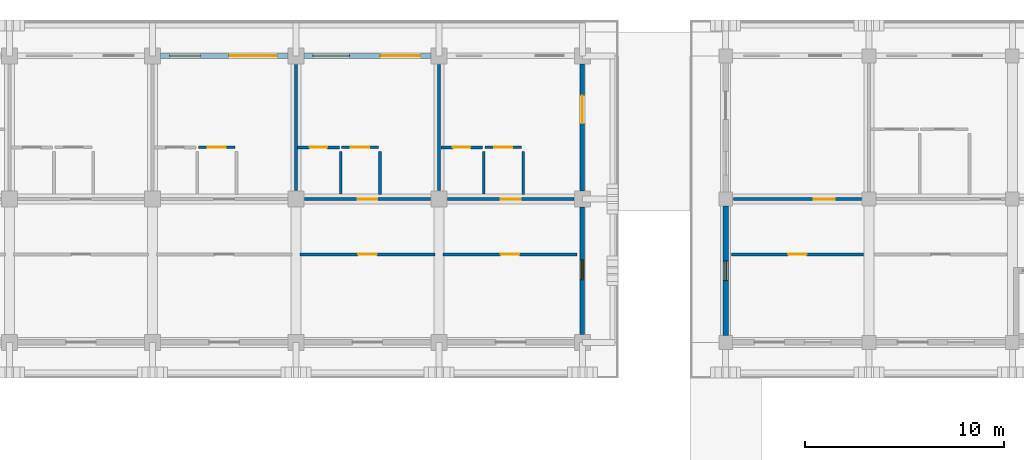
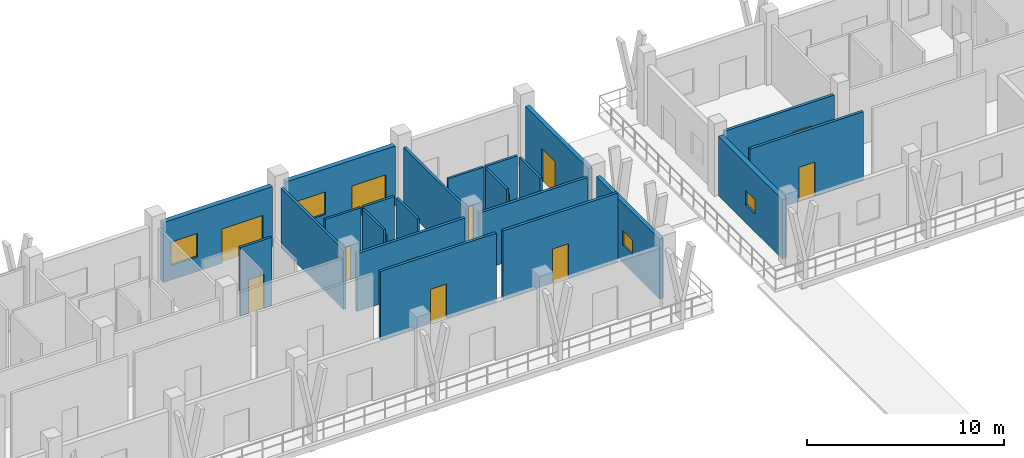
# One storey, part 79 of 110: 22 walls, 14 doors, 4 windows, 18 openings.
"""IFC4 building model written with IfcOpenShell, lengths in metres."""

from ifc_helpers import new_model, si_unit, direction, frame, frame_2d, origin, place, context, subcontext, project, spatial, rectangle, extrude, material, layer, layer_set, type_object, element, fill, save


model = new_model("IFC4")

# Units and contexts
model_context = context("Model", 3, precision=1e-05, world=origin(), true_north=direction((0.0, 1.0)))
body_context = subcontext(model_context, "Body", "Model", "MODEL_VIEW")
ifc_project = project(units=[si_unit("LENGTHUNIT", "METRE"), si_unit("AREAUNIT", "SQUARE_METRE"), si_unit("VOLUMEUNIT", "CUBIC_METRE"), si_unit("PLANEANGLEUNIT", "RADIAN"), si_unit("MASSUNIT", "GRAM", prefix="KILO")], contexts=[model_context])

# Site, building, storey
site_placement = place(None, origin())
site = spatial("IfcSite", under=ifc_project, at=site_placement, CompositionType="ELEMENT")
building_placement = place(site_placement, origin())
building = spatial("IfcBuilding", under=site, at=building_placement, Name="Suanplinth Sawtooth Commons", CompositionType="ELEMENT")
storey_placement = place(building_placement, frame((0.0, 0.0, 4.5)))
storey = spatial("IfcBuildingStorey", under=building, at=storey_placement, Name="L01", CompositionType="ELEMENT", Elevation=4.5)

# Wall, openings, door, window
ifc_material_1 = material(Name="Precast concrete C40/50", Category="concrete")
ifc_layer_1 = layer(ifc_material_1, 0.280029296875, Name="Insulated precast architectural facade wall 280mm")
ifc_layer_set_1 = layer_set([ifc_layer_1], Name="Precast concrete C40/50")
wall_type_1 = type_object("IfcWallType", Name="W-EX01", PredefinedType="ELEMENTEDWALL", material=ifc_layer_set_1)
wall_1_placement = place(storey_placement, frame((94.0, 122.39990234375, 0.0), z_axis=(0.0, 0.0, 1.0), x_axis=(1.0, 0.0, 0.0)))
wall_1 = element("IfcWall", 1, at=wall_1_placement, inside=storey, type_object=wall_type_1, Name="Facade Wall W-L01-A-N-13", PredefinedType="ELEMENTEDWALL", context=body_context, shape_type="SweptSolid", body=[
    extrude(rectangle(XDim=6.39990234375, YDim=0.280029296875, at=frame_2d((3.199951171875, 0.0))), origin(), (0.0, 0.0, 1.0), 3.715087890625),
])
opening_1_placement = place(wall_1_placement, frame((3.449951171875, 0.0, 0.0)))
opening_1 = element("IfcOpeningElement", 2, at=opening_1_placement, cuts=wall_1, Name="Opening ED0057", PredefinedType="OPENING", context=body_context, shape_type="SweptSolid", body=[
    extrude(rectangle(XDim=2.39990234375, YDim=2.1201171875, at=frame_2d((1.199951171875, 1.06005859375))), frame((0.0, 0.15478515625, 0.0), z_axis=(0.0, -1.0, 0.0), x_axis=(1.0, 0.0, 0.0)), (0.0, 0.0, 1.0), 0.309814453125),
])
opening_2_placement = place(wall_1_placement, frame((0.449951171875, 0.0, 0.89990234375)))
opening_2 = element("IfcOpeningElement", 3, at=opening_2_placement, cuts=wall_1, Name="Opening W0181", PredefinedType="OPENING", context=body_context, shape_type="SweptSolid", body=[
    extrude(rectangle(XDim=1.550048828125, YDim=1.449951171875, at=frame_2d((0.77490234375, 0.72509765625))), frame((0.0, 0.15478515625, 0.0), z_axis=(0.0, -1.0, 0.0), x_axis=(1.0, 0.0, 0.0)), (0.0, 0.0, 1.0), 0.309814453125),
])
ifc_material_2 = material(Name="Anodized aluminium and low-E glass", Category="aluminium")
door_type_1 = type_object("IfcDoorType", Name="SD-04", OperationType="DOUBLE_DOOR_SLIDING", PredefinedType="DOOR", material=ifc_material_2)
door_1_placement = place(opening_1_placement, frame((2.39990234375, 0.0, 0.0), z_axis=(0.0, 0.0, 1.0), x_axis=(-1.0, 0.0, 0.0)))
door_1 = element("IfcDoor", 4, at=door_1_placement, inside=storey, type_object=door_type_1, Name="Balcony Sliding Door L01-A-N-13", OperationType="DOUBLE_DOOR_SLIDING", OverallHeight=2.1201171875, OverallWidth=2.39990234375, PredefinedType="DOOR", context=body_context, shape_type="SweptSolid", body=[
    extrude(rectangle(XDim=2.39990234375, YDim=2.1201171875, at=frame_2d((1.199951171875, 1.06005859375))), frame((0.0, 0.02490234375, 0.0), z_axis=(0.0, -1.0, 0.0), x_axis=(1.0, 0.0, 0.0)), (0.0, 0.0, 1.0), 0.050048828125),
])
fill(opening_1, door_1)
ifc_material_3 = material(Name="Thermally broken aluminium and low-E double glazing", Category="aluminium")
window_type_1 = type_object("IfcWindowType", Name="WN-22", PartitioningType="DOUBLE_PANEL_VERTICAL", PredefinedType="WINDOW", material=ifc_material_3)
window_1_placement = place(opening_2_placement, origin())
window_1 = element("IfcWindow", 5, at=window_1_placement, inside=storey, type_object=window_type_1, Name="Window L01-A-N-13", OverallHeight=1.449951171875, OverallWidth=1.550048828125, PartitioningType="DOUBLE_PANEL_VERTICAL", PredefinedType="WINDOW", context=body_context, shape_type="SweptSolid", body=[
    extrude(rectangle(XDim=1.550048828125, YDim=1.449951171875, at=frame_2d((0.77490234375, 0.72509765625))), frame((0.0, 0.030029296875, 0.0), z_axis=(0.0, -1.0, 0.0), x_axis=(1.0, 0.0, 0.0)), (0.0, 0.0, 1.0), 0.06005859375),
])
fill(opening_2, window_1)

wall_2_placement = place(storey_placement, frame((101.199951171875, 122.39990234375, 0.0), z_axis=(0.0, 0.0, 1.0), x_axis=(1.0, 0.0, 0.0)))
wall_2 = element("IfcWall", 6, at=wall_2_placement, inside=storey, type_object=wall_type_1, Name="Facade Wall W-L01-A-N-14", PredefinedType="ELEMENTEDWALL", context=body_context, shape_type="SweptSolid", body=[
    extrude(rectangle(XDim=6.400146484375, YDim=0.280029296875, at=frame_2d((3.2001953125, 0.0))), origin(), (0.0, 0.0, 1.0), 3.715087890625),
])
opening_3_placement = place(wall_2_placement, frame((3.85009765625, 0.0, 0.0)))
opening_3 = element("IfcOpeningElement", 7, at=opening_3_placement, cuts=wall_2, Name="Opening ED0059", PredefinedType="OPENING", context=body_context, shape_type="SweptSolid", body=[
    extrude(rectangle(XDim=2.0, YDim=2.1201171875, at=frame_2d((1.0, 1.06005859375))), frame((0.0, 0.15478515625, 0.0), z_axis=(0.0, -1.0, 0.0), x_axis=(1.0, 0.0, 0.0)), (0.0, 0.0, 1.0), 0.309814453125),
])
opening_4_placement = place(wall_2_placement, frame((0.449951171875, 0.0, 0.89990234375)))
opening_4 = element("IfcOpeningElement", 8, at=opening_4_placement, cuts=wall_2, Name="Opening W0182", PredefinedType="OPENING", context=body_context, shape_type="SweptSolid", body=[
    extrude(rectangle(XDim=1.85009765625, YDim=1.39990234375, at=frame_2d((0.925048828125, 0.699951171875))), frame((0.0, 0.15478515625, 0.0), z_axis=(0.0, -1.0, 0.0), x_axis=(1.0, 0.0, 0.0)), (0.0, 0.0, 1.0), 0.309814453125),
])
door_type_2 = type_object("IfcDoorType", Name="SD-06", OperationType="DOUBLE_DOOR_SLIDING", PredefinedType="DOOR", material=ifc_material_2)
door_2_placement = place(opening_3_placement, frame((2.0, 0.0, 0.0), z_axis=(0.0, 0.0, 1.0), x_axis=(-1.0, 0.0, 0.0)))
door_2 = element("IfcDoor", 9, at=door_2_placement, inside=storey, type_object=door_type_2, Name="Balcony Sliding Door L01-A-N-14", OperationType="DOUBLE_DOOR_SLIDING", OverallHeight=2.1201171875, OverallWidth=2.0, PredefinedType="DOOR", context=body_context, shape_type="SweptSolid", body=[
    extrude(rectangle(XDim=2.0, YDim=2.1201171875, at=frame_2d((1.0, 1.06005859375))), frame((0.0, 0.02490234375, 0.0), z_axis=(0.0, -1.0, 0.0), x_axis=(1.0, 0.0, 0.0)), (0.0, 0.0, 1.0), 0.050048828125),
])
fill(opening_3, door_2)
window_type_2 = type_object("IfcWindowType", Name="WN-23", PartitioningType="DOUBLE_PANEL_VERTICAL", PredefinedType="WINDOW", material=ifc_material_3)
window_2_placement = place(opening_4_placement, origin())
window_2 = element("IfcWindow", 10, at=window_2_placement, inside=storey, type_object=window_type_2, Name="Window L01-A-N-14", OverallHeight=1.39990234375, OverallWidth=1.85009765625, PartitioningType="DOUBLE_PANEL_VERTICAL", PredefinedType="WINDOW", context=body_context, shape_type="SweptSolid", body=[
    extrude(rectangle(XDim=1.85009765625, YDim=1.39990234375, at=frame_2d((0.925048828125, 0.699951171875))), frame((0.0, 0.030029296875, 0.0), z_axis=(0.0, -1.0, 0.0), x_axis=(1.0, 0.0, 0.0)), (0.0, 0.0, 1.0), 0.06005859375),
])
fill(opening_4, window_2)

# Wall, opening, window
wall_3_placement = place(storey_placement, frame((122.39990234375, 108.35009765625, 0.0), z_axis=(0.0, 0.0, 1.0), x_axis=(0.0, 1.0, 0.0)))
wall_3 = element("IfcWall", 11, at=wall_3_placement, inside=storey, type_object=wall_type_1, Name="Facade Wall W-L01-B-W-17-15", PredefinedType="ELEMENTEDWALL", context=body_context, shape_type="SweptSolid", body=[
    extrude(rectangle(XDim=6.5, YDim=0.280029296875, at=frame_2d((3.25, 0.0))), origin(), (0.0, 0.0, 1.0), 3.68505859375),
])
opening_5_placement = place(wall_3_placement, frame((2.75, 0.0, 1.10009765625)))
opening_5 = element("IfcOpeningElement", 12, at=opening_5_placement, cuts=wall_3, Name="Opening W0187", PredefinedType="OPENING", context=body_context, shape_type="SweptSolid", body=[
    extrude(rectangle(XDim=1.0, YDim=0.89990234375, at=frame_2d((0.5, 0.449951171875))), frame((0.0, 0.15478515625, 0.0), z_axis=(0.0, -1.0, 0.0), x_axis=(1.0, 0.0, 0.0)), (0.0, 0.0, 1.0), 0.309814453125),
])
window_type_3 = type_object("IfcWindowType", Name="WN-12", PartitioningType="SINGLE_PANEL", PredefinedType="WINDOW", material=ifc_material_3)
window_3_placement = place(opening_5_placement, origin())
window_3 = element("IfcWindow", 13, at=window_3_placement, inside=storey, type_object=window_type_3, Name="End Window L01-B-W-17-15", OverallHeight=0.89990234375, OverallWidth=1.0, PartitioningType="SINGLE_PANEL", PredefinedType="WINDOW", context=body_context, shape_type="SweptSolid", body=[
    extrude(rectangle(XDim=1.0, YDim=0.89990234375, at=frame_2d((0.5, 0.449951171875))), frame((0.0, 0.030029296875, 0.0), z_axis=(0.0, -1.0, 0.0), x_axis=(1.0, 0.0, 0.0)), (0.0, 0.0, 1.0), 0.06005859375),
])
fill(opening_5, window_3)

ifc_layer_2 = layer(ifc_material_1, 0.22998046875, Name="Stepped terrace insulated precast wall 230mm")
ifc_layer_set_2 = layer_set([ifc_layer_2], Name="Precast concrete C40/50")
wall_type_2 = type_object("IfcWallType", Name="W-EX06", PredefinedType="ELEMENTEDWALL", material=ifc_layer_set_2)
wall_4_placement = place(storey_placement, frame((115.199951171875, 108.39990234375, 0.0), z_axis=(0.0, 0.0, 1.0), x_axis=(0.0, 1.0, 0.0)))
wall_4 = element("IfcWall", 14, at=wall_4_placement, inside=storey, type_object=wall_type_2, Name="End Wall W-L01-A-E-15", PredefinedType="ELEMENTEDWALL", context=body_context, shape_type="SweptSolid", body=[
    extrude(rectangle(XDim=6.400146484375, YDim=0.22998046875, at=frame_2d((3.2001953125, 0.0))), origin(), (0.0, 0.0, 1.0), 3.715087890625),
])
opening_6_placement = place(wall_4_placement, frame((2.75, 0.0, 1.10009765625)))
opening_6 = element("IfcOpeningElement", 15, at=opening_6_placement, cuts=wall_4, Name="Opening W0185", PredefinedType="OPENING", context=body_context, shape_type="SweptSolid", body=[
    extrude(rectangle(XDim=1.0, YDim=0.89990234375, at=frame_2d((0.5, 0.449951171875))), frame((0.0, 0.1298828125, 0.0), z_axis=(0.0, -1.0, 0.0), x_axis=(1.0, 0.0, 0.0)), (0.0, 0.0, 1.0), 0.259765625),
])
window_4_placement = place(opening_6_placement, origin())
window_4 = element("IfcWindow", 16, at=window_4_placement, inside=storey, type_object=window_type_3, Name="End Window L01-A-E-15", OverallHeight=0.89990234375, OverallWidth=1.0, PartitioningType="SINGLE_PANEL", PredefinedType="WINDOW", context=body_context, shape_type="SweptSolid", body=[
    extrude(rectangle(XDim=1.0, YDim=0.89990234375, at=frame_2d((0.5, 0.449951171875))), frame((0.0, 0.030029296875, 0.0), z_axis=(0.0, -1.0, 0.0), x_axis=(1.0, 0.0, 0.0)), (0.0, 0.0, 1.0), 0.06005859375),
])
fill(opening_6, window_4)

# Wall, opening, door
wall_5_placement = place(storey_placement, frame((115.199951171875, 115.60009765625, 0.0), z_axis=(0.0, 0.0, 1.0), x_axis=(0.0, 1.0, 0.0)))
wall_5 = element("IfcWall", 17, at=wall_5_placement, inside=storey, type_object=wall_type_2, Name="End Wall W-L01-A-E-16", PredefinedType="ELEMENTEDWALL", context=body_context, shape_type="SweptSolid", body=[
    extrude(rectangle(XDim=6.39990234375, YDim=0.22998046875, at=frame_2d((3.199951171875, 0.0))), origin(), (0.0, 0.0, 1.0), 3.715087890625),
])
opening_7_placement = place(wall_5_placement, frame((3.39990234375, 0.0, 0.0)))
opening_7 = element("IfcOpeningElement", 18, at=opening_7_placement, cuts=wall_5, Name="Opening ED0064", PredefinedType="OPENING", context=body_context, shape_type="SweptSolid", body=[
    extrude(rectangle(XDim=1.39990234375, YDim=2.10009765625, at=frame_2d((0.699951171875, 1.050048828125))), frame((0.0, 0.1298828125, 0.0), z_axis=(0.0, -1.0, 0.0), x_axis=(1.0, 0.0, 0.0)), (0.0, 0.0, 1.0), 0.259765625),
])
door_type_3 = type_object("IfcDoorType", Name="SD-07", OperationType="SLIDING_TO_RIGHT", PredefinedType="DOOR", material=ifc_material_2)
door_3_placement = place(opening_7_placement, frame((1.39990234375, 0.0, 0.0), z_axis=(0.0, 0.0, 1.0), x_axis=(-1.0, 0.0, 0.0)))
door_3 = element("IfcDoor", 19, at=door_3_placement, inside=storey, type_object=door_type_3, Name="L01 Block A E End Balcony Door", OperationType="SLIDING_TO_RIGHT", OverallHeight=2.10009765625, OverallWidth=1.39990234375, PredefinedType="DOOR", context=body_context, shape_type="SweptSolid", body=[
    extrude(rectangle(XDim=1.39990234375, YDim=2.10009765625, at=frame_2d((0.699951171875, 1.050048828125))), frame((0.0, 0.02490234375, 0.0), z_axis=(0.0, -1.0, 0.0), x_axis=(1.0, 0.0, 0.0)), (0.0, 0.0, 1.0), 0.050048828125),
])
fill(opening_7, door_3)

ifc_layer_3 = layer(ifc_material_1, 0.159912109375, Name="Fire-rated corridor and lobby wall 160mm")
ifc_layer_set_3 = layer_set([ifc_layer_3], Name="Precast concrete C40/50")
wall_type_3 = type_object("IfcWallType", Name="W-FW01", PredefinedType="PARTITIONING", material=ifc_layer_set_3)
wall_6_placement = place(storey_placement, frame((101.22998046875, 115.199951171875, 0.0), z_axis=(0.0, 0.0, 1.0), x_axis=(1.0, 0.0, 0.0)))
wall_6 = element("IfcWall", 20, at=wall_6_placement, inside=storey, type_object=wall_type_3, Name="W-A-L01-U12-COR", PredefinedType="PARTITIONING", context=body_context, shape_type="SweptSolid", body=[
    extrude(rectangle(XDim=6.340087890625, YDim=0.159912109375, at=frame_2d((3.169921875, 0.0))), origin(), (0.0, 0.0, 1.0), 3.5849609375),
])
opening_8_placement = place(wall_6_placement, frame((2.669921875, 0.0, 0.0)))
opening_8 = element("IfcOpeningElement", 21, at=opening_8_placement, cuts=wall_6, Name="Opening FD0561", PredefinedType="OPENING", context=body_context, shape_type="SweptSolid", body=[
    extrude(rectangle(XDim=1.0, YDim=2.14990234375, at=frame_2d((0.5, 1.074951171875))), frame((0.0, 0.0947265625, 0.0), z_axis=(0.0, -1.0, 0.0), x_axis=(1.0, 0.0, 0.0)), (0.0, 0.0, 1.0), 0.189697265625),
])
ifc_material_4 = material(Name="Teak hardwood fire-rated door assembly", Category="wood")
door_type_4 = type_object("IfcDoorType", Name="FD-03", OperationType="NOTDEFINED", PredefinedType="DOOR", material=ifc_material_4)
door_4_placement = place(opening_8_placement, origin())
door_4 = element("IfcDoor", 22, at=door_4_placement, inside=storey, type_object=door_type_4, Name="Unit Entrance Door FD0561", OperationType="SINGLE_SWING_LEFT", OverallHeight=2.14990234375, OverallWidth=1.0, PredefinedType="DOOR", context=body_context, shape_type="SweptSolid", body=[
    extrude(rectangle(XDim=1.0, YDim=2.14990234375, at=frame_2d((0.5, 1.074951171875))), frame((0.0, 0.02490234375, 0.0), z_axis=(0.0, -1.0, 0.0), x_axis=(1.0, 0.0, 0.0)), (0.0, 0.0, 1.0), 0.050048828125),
])
fill(opening_8, door_4)

wall_7_placement = place(storey_placement, frame((108.429931640625, 115.199951171875, 0.0), z_axis=(0.0, 0.0, 1.0), x_axis=(1.0, 0.0, 0.0)))
wall_7 = element("IfcWall", 23, at=wall_7_placement, inside=storey, type_object=wall_type_3, Name="W-A-L01-U13-COR", PredefinedType="PARTITIONING", context=body_context, shape_type="SweptSolid", body=[
    extrude(rectangle(XDim=6.340087890625, YDim=0.159912109375, at=frame_2d((3.169921875, 0.0))), origin(), (0.0, 0.0, 1.0), 3.5849609375),
])
opening_9_placement = place(wall_7_placement, frame((2.669921875, 0.0, 0.0)))
opening_9 = element("IfcOpeningElement", 24, at=opening_9_placement, cuts=wall_7, Name="Opening FD0564", PredefinedType="OPENING", context=body_context, shape_type="SweptSolid", body=[
    extrude(rectangle(XDim=1.0, YDim=2.14990234375, at=frame_2d((0.5, 1.074951171875))), frame((0.0, 0.0947265625, 0.0), z_axis=(0.0, -1.0, 0.0), x_axis=(1.0, 0.0, 0.0)), (0.0, 0.0, 1.0), 0.189697265625),
])
door_5_placement = place(opening_9_placement, origin())
door_5 = element("IfcDoor", 25, at=door_5_placement, inside=storey, type_object=door_type_4, Name="Unit Entrance Door FD0564", OperationType="SINGLE_SWING_RIGHT", OverallHeight=2.14990234375, OverallWidth=1.0, PredefinedType="DOOR", context=body_context, shape_type="SweptSolid", body=[
    extrude(rectangle(XDim=1.0, YDim=2.14990234375, at=frame_2d((0.5, 1.074951171875))), frame((0.0, 0.02490234375, 0.0), z_axis=(0.0, -1.0, 0.0), x_axis=(1.0, 0.0, 0.0)), (0.0, 0.0, 1.0), 0.050048828125),
])
fill(opening_9, door_5)

wall_8_placement = place(storey_placement, frame((101.0, 112.419921875, 0.0), z_axis=(0.0, 0.0, 1.0), x_axis=(1.0, 0.0, 0.0)))
wall_8 = element("IfcWall", 26, at=wall_8_placement, inside=storey, type_object=wall_type_3, Name="W-A-L01-COURTROOM-23-COR", PredefinedType="PARTITIONING", context=body_context, shape_type="SweptSolid", body=[
    extrude(rectangle(XDim=6.800048828125, YDim=0.159912109375, at=frame_2d((3.39990234375, 0.0))), origin(), (0.0, 0.0, 1.0), 4.25),
])
opening_10_placement = place(wall_8_placement, frame((2.929931640625, 0.0, 0.0)))
opening_10 = element("IfcOpeningElement", 27, at=opening_10_placement, cuts=wall_8, Name="Opening D0577", PredefinedType="OPENING", context=body_context, shape_type="SweptSolid", body=[
    extrude(rectangle(XDim=0.93994140625, YDim=2.1201171875, at=frame_2d((0.469970703125, 1.06005859375))), frame((0.0, 0.0947265625, 0.0), z_axis=(0.0, -1.0, 0.0), x_axis=(1.0, 0.0, 0.0)), (0.0, 0.0, 1.0), 0.189697265625),
])
ifc_material_5 = material(Name="Teak hardwood", Category="wood")
door_type_5 = type_object("IfcDoorType", Name="D-15", OperationType="NOTDEFINED", PredefinedType="DOOR", material=ifc_material_5)
door_6_placement = place(opening_10_placement, frame((0.93994140625, 0.0, 0.0), z_axis=(0.0, 0.0, 1.0), x_axis=(-1.0, 0.0, 0.0)))
door_6 = element("IfcDoor", 28, at=door_6_placement, inside=storey, type_object=door_type_5, Name="Study Studio Door D0577", OperationType="SINGLE_SWING_LEFT", OverallHeight=2.1201171875, OverallWidth=0.93994140625, PredefinedType="DOOR", context=body_context, shape_type="SweptSolid", body=[
    extrude(rectangle(XDim=0.93994140625, YDim=2.1201171875, at=frame_2d((0.469970703125, 1.06005859375))), frame((0.0, 0.02490234375, 0.0), z_axis=(0.0, -1.0, 0.0), x_axis=(1.0, 0.0, 0.0)), (0.0, 0.0, 1.0), 0.050048828125),
])
fill(opening_10, door_6)

wall_9_placement = place(storey_placement, frame((108.199951171875, 112.419921875, 0.0), z_axis=(0.0, 0.0, 1.0), x_axis=(1.0, 0.0, 0.0)))
wall_9 = element("IfcWall", 29, at=wall_9_placement, inside=storey, type_object=wall_type_3, Name="W-A-L01-COURTROOM-24-COR", PredefinedType="PARTITIONING", context=body_context, shape_type="SweptSolid", body=[
    extrude(rectangle(XDim=6.719970703125, YDim=0.159912109375, at=frame_2d((3.35986328125, 0.0))), origin(), (0.0, 0.0, 1.0), 4.25),
])
opening_11_placement = place(wall_9_placement, frame((2.889892578125, 0.0, 0.0)))
opening_11 = element("IfcOpeningElement", 30, at=opening_11_placement, cuts=wall_9, Name="Opening D0578", PredefinedType="OPENING", context=body_context, shape_type="SweptSolid", body=[
    extrude(rectangle(XDim=0.93994140625, YDim=2.1201171875, at=frame_2d((0.469970703125, 1.06005859375))), frame((0.0, 0.0947265625, 0.0), z_axis=(0.0, -1.0, 0.0), x_axis=(1.0, 0.0, 0.0)), (0.0, 0.0, 1.0), 0.189697265625),
])
door_7_placement = place(opening_11_placement, frame((0.93994140625, 0.0, 0.0), z_axis=(0.0, 0.0, 1.0), x_axis=(-1.0, 0.0, 0.0)))
door_7 = element("IfcDoor", 31, at=door_7_placement, inside=storey, type_object=door_type_5, Name="Study Studio Door D0578", OperationType="SINGLE_SWING_RIGHT", OverallHeight=2.1201171875, OverallWidth=0.93994140625, PredefinedType="DOOR", context=body_context, shape_type="SweptSolid", body=[
    extrude(rectangle(XDim=0.93994140625, YDim=2.1201171875, at=frame_2d((0.469970703125, 1.06005859375))), frame((0.0, 0.02490234375, 0.0), z_axis=(0.0, -1.0, 0.0), x_axis=(1.0, 0.0, 0.0)), (0.0, 0.0, 1.0), 0.050048828125),
])
fill(opening_11, door_7)

wall_10_placement = place(storey_placement, frame((122.780029296875, 115.199951171875, 0.0), z_axis=(0.0, 0.0, 1.0), x_axis=(1.0, 0.0, 0.0)))
wall_10 = element("IfcWall", 32, at=wall_10_placement, inside=storey, type_object=wall_type_3, Name="W-B-L01-U01-COR", PredefinedType="PARTITIONING", context=body_context, shape_type="SweptSolid", body=[
    extrude(rectangle(XDim=6.43994140625, YDim=0.159912109375, at=frame_2d((3.219970703125, 0.0))), origin(), (0.0, 0.0, 1.0), 3.635009765625),
])
opening_12_placement = place(wall_10_placement, frame((4.044921875, 0.0, 0.0)))
opening_12 = element("IfcOpeningElement", 33, at=opening_12_placement, cuts=wall_10, Name="Opening D0579", PredefinedType="OPENING", context=body_context, shape_type="SweptSolid", body=[
    extrude(rectangle(XDim=1.050048828125, YDim=2.199951171875, at=frame_2d((0.52490234375, 1.10009765625))), frame((0.0, 0.0947265625, 0.0), z_axis=(0.0, -1.0, 0.0), x_axis=(1.0, 0.0, 0.0)), (0.0, 0.0, 1.0), 0.189697265625),
])
door_type_6 = type_object("IfcDoorType", Name="D-05", OperationType="NOTDEFINED", PredefinedType="DOOR", material=ifc_material_5)
door_8_placement = place(opening_12_placement, origin())
door_8 = element("IfcDoor", 34, at=door_8_placement, inside=storey, type_object=door_type_6, Name="Unit Entrance Door D0579", OperationType="SINGLE_SWING_LEFT", OverallHeight=2.199951171875, OverallWidth=1.050048828125, PredefinedType="DOOR", context=body_context, shape_type="SweptSolid", body=[
    extrude(rectangle(XDim=1.050048828125, YDim=2.199951171875, at=frame_2d((0.52490234375, 1.10009765625))), frame((0.0, 0.02490234375, 0.0), z_axis=(0.0, -1.0, 0.0), x_axis=(1.0, 0.0, 0.0)), (0.0, 0.0, 1.0), 0.050048828125),
])
fill(opening_12, door_8)

wall_11_placement = place(storey_placement, frame((122.679931640625, 112.419921875, 0.0), z_axis=(0.0, 0.0, 1.0), x_axis=(1.0, 0.0, 0.0)))
wall_11 = element("IfcWall", 35, at=wall_11_placement, inside=storey, type_object=wall_type_3, Name="W-B-L01-COURTROOM-31-COR", PredefinedType="PARTITIONING", context=body_context, shape_type="SweptSolid", body=[
    extrude(rectangle(XDim=6.64013671875, YDim=0.159912109375, at=frame_2d((3.320068359375, 0.0))), origin(), (0.0, 0.0, 1.0), 4.25),
])
opening_13_placement = place(wall_11_placement, frame((2.85009765625, 0.0, 0.0)))
opening_13 = element("IfcOpeningElement", 36, at=opening_13_placement, cuts=wall_11, Name="Opening D0601", PredefinedType="OPENING", context=body_context, shape_type="SweptSolid", body=[
    extrude(rectangle(XDim=0.93994140625, YDim=2.1201171875, at=frame_2d((0.469970703125, 1.06005859375))), frame((0.0, 0.0947265625, 0.0), z_axis=(0.0, -1.0, 0.0), x_axis=(1.0, 0.0, 0.0)), (0.0, 0.0, 1.0), 0.189697265625),
])
door_9_placement = place(opening_13_placement, frame((0.93994140625, 0.0, 0.0), z_axis=(0.0, 0.0, 1.0), x_axis=(-1.0, 0.0, 0.0)))
door_9 = element("IfcDoor", 37, at=door_9_placement, inside=storey, type_object=door_type_5, Name="Study Studio Door D0601", OperationType="SINGLE_SWING_LEFT", OverallHeight=2.1201171875, OverallWidth=0.93994140625, PredefinedType="DOOR", context=body_context, shape_type="SweptSolid", body=[
    extrude(rectangle(XDim=0.93994140625, YDim=2.1201171875, at=frame_2d((0.469970703125, 1.06005859375))), frame((0.0, 0.02490234375, 0.0), z_axis=(0.0, -1.0, 0.0), x_axis=(1.0, 0.0, 0.0)), (0.0, 0.0, 1.0), 0.050048828125),
])
fill(opening_13, door_9)

# Walls
ifc_layer_4 = layer(ifc_material_1, 0.14990234375, Name="Acoustic precast party demising wall 150mm")
ifc_layer_set_4 = layer_set([ifc_layer_4], Name="Precast concrete C40/50")
wall_type_4 = type_object("IfcWallType", Name="W-FW02", PredefinedType="PARTITIONING", material=ifc_layer_set_4)
for number, where, z_axis, x_axis, name in (
    (38, (100.800048828125, 115.6298828125, 0.0), (0.0, 0.0, 1.0), (0.0, 1.0, 0.0), "W-A-L01-U11-PTY"),
    (39, (108.0, 115.6298828125, 0.0), (0.0, 0.0, 1.0), (0.0, 1.0, 0.0), "W-A-L01-U12-PTY"),
):
    element("IfcWall", number, at=place(storey_placement, frame(where, z_axis=z_axis, x_axis=x_axis)), inside=storey, type_object=wall_type_4, Name=name, PredefinedType="PARTITIONING", context=body_context, shape_type="SweptSolid", body=[
        extrude(rectangle(XDim=6.340087890625, YDim=0.14990234375, at=frame_2d((3.169921875, 0.0))), origin(), (0.0, 0.0, 1.0), 3.68505859375),
    ])

# Wall, opening, door
ifc_material_6 = material(Name="Gypsum plasterboard on steel stud", Category="steel")
ifc_layer_5 = layer(ifc_material_6, 0.139892578125, Name="Fire-rated kitchen partition 140mm")
ifc_layer_set_5 = layer_set([ifc_layer_5], Name="Gypsum plasterboard on steel stud")
wall_type_5 = type_object("IfcWallType", Name="W-PT01", PredefinedType="PARTITIONING", material=ifc_layer_set_5)
wall_12_placement = place(storey_placement, frame((95.89990234375, 117.800048828125, 0.0), z_axis=(0.0, 0.0, 1.0), x_axis=(1.0, 0.0, 0.0)))
wall_12 = element("IfcWall", 40, at=wall_12_placement, inside=storey, type_object=wall_type_5, Name="W-A-L01-U11-KIT1", PredefinedType="PARTITIONING", context=body_context, shape_type="SweptSolid", body=[
    extrude(rectangle(XDim=1.85009765625, YDim=0.139892578125, at=frame_2d((0.925048828125, 0.0))), origin(), (0.0, 0.0, 1.0), 4.25),
])
opening_14_placement = place(wall_12_placement, frame((0.465087890625, 0.0, 0.0)))
opening_14 = element("IfcOpeningElement", 41, at=opening_14_placement, cuts=wall_12, Name="Opening D0560", PredefinedType="OPENING", context=body_context, shape_type="SweptSolid", body=[
    extrude(rectangle(XDim=0.919921875, YDim=2.10009765625, at=frame_2d((0.4599609375, 1.050048828125))), frame((0.0, 0.0849609375, 0.0), z_axis=(0.0, -1.0, 0.0), x_axis=(1.0, 0.0, 0.0)), (0.0, 0.0, 1.0), 0.169677734375),
])
door_type_7 = type_object("IfcDoorType", Name="D-02", OperationType="NOTDEFINED", PredefinedType="DOOR", material=ifc_material_5)
door_10_placement = place(opening_14_placement, frame((0.919921875, 0.0, 0.0), z_axis=(0.0, 0.0, 1.0), x_axis=(-1.0, 0.0, 0.0)))
door_10 = element("IfcDoor", 42, at=door_10_placement, inside=storey, type_object=door_type_7, Name="Kitchen Door D0560", OperationType="SINGLE_SWING_RIGHT", OverallHeight=2.10009765625, OverallWidth=0.919921875, PredefinedType="DOOR", context=body_context, shape_type="SweptSolid", body=[
    extrude(rectangle(XDim=0.919921875, YDim=2.10009765625, at=frame_2d((0.4599609375, 1.050048828125))), frame((0.0, 0.02490234375, 0.0), z_axis=(0.0, -1.0, 0.0), x_axis=(1.0, 0.0, 0.0)), (0.0, 0.0, 1.0), 0.050048828125),
])
fill(opening_14, door_10)

wall_13_placement = place(storey_placement, frame((103.10009765625, 117.800048828125, 0.0), z_axis=(0.0, 0.0, 1.0), x_axis=(1.0, 0.0, 0.0)))
wall_13 = element("IfcWall", 43, at=wall_13_placement, inside=storey, type_object=wall_type_5, Name="W-A-L01-U12-KIT1", PredefinedType="PARTITIONING", context=body_context, shape_type="SweptSolid", body=[
    extrude(rectangle(XDim=1.849853515625, YDim=0.139892578125, at=frame_2d((0.9248046875, 0.0))), origin(), (0.0, 0.0, 1.0), 4.25),
])
opening_15_placement = place(wall_13_placement, frame((0.465087890625, 0.0, 0.0)))
opening_15 = element("IfcOpeningElement", 44, at=opening_15_placement, cuts=wall_13, Name="Opening D0563", PredefinedType="OPENING", context=body_context, shape_type="SweptSolid", body=[
    extrude(rectangle(XDim=0.919921875, YDim=2.10009765625, at=frame_2d((0.4599609375, 1.050048828125))), frame((0.0, 0.0849609375, 0.0), z_axis=(0.0, -1.0, 0.0), x_axis=(1.0, 0.0, 0.0)), (0.0, 0.0, 1.0), 0.169677734375),
])
door_11_placement = place(opening_15_placement, frame((0.919921875, 0.0, 0.0), z_axis=(0.0, 0.0, 1.0), x_axis=(-1.0, 0.0, 0.0)))
door_11 = element("IfcDoor", 45, at=door_11_placement, inside=storey, type_object=door_type_7, Name="Kitchen Door D0563", OperationType="SINGLE_SWING_LEFT", OverallHeight=2.10009765625, OverallWidth=0.919921875, PredefinedType="DOOR", context=body_context, shape_type="SweptSolid", body=[
    extrude(rectangle(XDim=0.919921875, YDim=2.10009765625, at=frame_2d((0.4599609375, 1.050048828125))), frame((0.0, 0.02490234375, 0.0), z_axis=(0.0, -1.0, 0.0), x_axis=(1.0, 0.0, 0.0)), (0.0, 0.0, 1.0), 0.050048828125),
])
fill(opening_15, door_11)

# Wall
wall_14_placement = place(storey_placement, frame((105.02001953125, 115.429931640625, 0.0), z_axis=(0.0, 0.0, 1.0), x_axis=(0.0, 1.0, 0.0)))
element("IfcWall", 46, at=wall_14_placement, inside=storey, type_object=wall_type_5, Name="W-A-L01-U12-KIT2", PredefinedType="PARTITIONING", context=body_context, shape_type="SweptSolid", body=[
    extrude(rectangle(XDim=2.150146484375, YDim=0.139892578125, at=frame_2d((1.0751953125, 0.0))), origin(), (0.0, 0.0, 1.0), 4.25),
])

# Wall, opening, door
wall_15_placement = place(storey_placement, frame((110.300048828125, 117.800048828125, 0.0), z_axis=(0.0, 0.0, 1.0), x_axis=(1.0, 0.0, 0.0)))
wall_15 = element("IfcWall", 47, at=wall_15_placement, inside=storey, type_object=wall_type_5, Name="W-A-L01-U13-KIT1", PredefinedType="PARTITIONING", context=body_context, shape_type="SweptSolid", body=[
    extrude(rectangle(XDim=1.849853515625, YDim=0.139892578125, at=frame_2d((0.9248046875, 0.0))), origin(), (0.0, 0.0, 1.0), 4.25),
])
opening_16_placement = place(wall_15_placement, frame((0.465087890625, 0.0, 0.0)))
opening_16 = element("IfcOpeningElement", 48, at=opening_16_placement, cuts=wall_15, Name="Opening D0566", PredefinedType="OPENING", context=body_context, shape_type="SweptSolid", body=[
    extrude(rectangle(XDim=0.919921875, YDim=2.10009765625, at=frame_2d((0.4599609375, 1.050048828125))), frame((0.0, 0.0849609375, 0.0), z_axis=(0.0, -1.0, 0.0), x_axis=(1.0, 0.0, 0.0)), (0.0, 0.0, 1.0), 0.169677734375),
])
door_12_placement = place(opening_16_placement, frame((0.919921875, 0.0, 0.0), z_axis=(0.0, 0.0, 1.0), x_axis=(-1.0, 0.0, 0.0)))
door_12 = element("IfcDoor", 49, at=door_12_placement, inside=storey, type_object=door_type_7, Name="Kitchen Door D0566", OperationType="SINGLE_SWING_RIGHT", OverallHeight=2.10009765625, OverallWidth=0.919921875, PredefinedType="DOOR", context=body_context, shape_type="SweptSolid", body=[
    extrude(rectangle(XDim=0.919921875, YDim=2.10009765625, at=frame_2d((0.4599609375, 1.050048828125))), frame((0.0, 0.02490234375, 0.0), z_axis=(0.0, -1.0, 0.0), x_axis=(1.0, 0.0, 0.0)), (0.0, 0.0, 1.0), 0.050048828125),
])
fill(opening_16, door_12)

# Wall
wall_16_placement = place(storey_placement, frame((112.219970703125, 115.429931640625, 0.0), z_axis=(0.0, 0.0, 1.0), x_axis=(0.0, 1.0, 0.0)))
element("IfcWall", 50, at=wall_16_placement, inside=storey, type_object=wall_type_5, Name="W-A-L01-U13-KIT2", PredefinedType="PARTITIONING", context=body_context, shape_type="SweptSolid", body=[
    extrude(rectangle(XDim=2.150146484375, YDim=0.139892578125, at=frame_2d((1.0751953125, 0.0))), origin(), (0.0, 0.0, 1.0), 4.25),
])

# Wall, opening, door
ifc_layer_6 = layer(ifc_material_6, 0.1298828125, Name="Moisture-resistant bathroom partition 130mm")
ifc_layer_set_6 = layer_set([ifc_layer_6], Name="Gypsum plasterboard on steel stud")
wall_type_6 = type_object("IfcWallType", Name="W-PT02", PredefinedType="PARTITIONING", material=ifc_layer_set_6)
wall_17_placement = place(storey_placement, frame((100.8798828125, 117.794921875, 0.0), z_axis=(0.0, 0.0, 1.0), x_axis=(1.0, 0.0, 0.0)))
wall_17 = element("IfcWall", 51, at=wall_17_placement, inside=storey, type_object=wall_type_6, Name="W-A-L01-U12-BTH1", PredefinedType="PARTITIONING", context=body_context, shape_type="SweptSolid", body=[
    extrude(rectangle(XDim=2.10009765625, YDim=0.1298828125, at=frame_2d((1.050048828125, 0.0))), origin(), (0.0, 0.0, 1.0), 4.25),
])
opening_17_placement = place(wall_17_placement, frame((0.610107421875, 0.0, 0.0)))
opening_17 = element("IfcOpeningElement", 52, at=opening_17_placement, cuts=wall_17, Name="Opening D0562", PredefinedType="OPENING", context=body_context, shape_type="SweptSolid", body=[
    extrude(rectangle(XDim=0.8798828125, YDim=2.10009765625, at=frame_2d((0.43994140625, 1.050048828125))), frame((0.0, 0.079833984375, 0.0), z_axis=(0.0, -1.0, 0.0), x_axis=(1.0, 0.0, 0.0)), (0.0, 0.0, 1.0), 0.15966796875),
])
door_type_8 = type_object("IfcDoorType", Name="D-14", OperationType="NOTDEFINED", PredefinedType="DOOR", material=ifc_material_5)
door_13_placement = place(opening_17_placement, frame((0.8798828125, 0.0, 0.0), z_axis=(0.0, 0.0, 1.0), x_axis=(-1.0, 0.0, 0.0)))
door_13 = element("IfcDoor", 53, at=door_13_placement, inside=storey, type_object=door_type_8, Name="Bathroom Door D0562", OperationType="SINGLE_SWING_RIGHT", OverallHeight=2.10009765625, OverallWidth=0.8798828125, PredefinedType="DOOR", context=body_context, shape_type="SweptSolid", body=[
    extrude(rectangle(XDim=0.8798828125, YDim=2.10009765625, at=frame_2d((0.43994140625, 1.050048828125))), frame((0.0, 0.02490234375, 0.0), z_axis=(0.0, -1.0, 0.0), x_axis=(1.0, 0.0, 0.0)), (0.0, 0.0, 1.0), 0.050048828125),
])
fill(opening_17, door_13)

# Wall
wall_18_placement = place(storey_placement, frame((103.044921875, 115.4599609375, 0.0), z_axis=(0.0, 0.0, 1.0), x_axis=(0.0, 1.0, 0.0)))
element("IfcWall", 54, at=wall_18_placement, inside=storey, type_object=wall_type_6, Name="W-A-L01-U12-BTH2", PredefinedType="PARTITIONING", context=body_context, shape_type="SweptSolid", body=[
    extrude(rectangle(XDim=2.130126953125, YDim=0.1298828125, at=frame_2d((1.06494140625, 0.0))), origin(), (0.0, 0.0, 1.0), 4.25),
])

# Wall, opening, door
wall_19_placement = place(storey_placement, frame((108.080078125, 117.794921875, 0.0), z_axis=(0.0, 0.0, 1.0), x_axis=(1.0, 0.0, 0.0)))
wall_19 = element("IfcWall", 55, at=wall_19_placement, inside=storey, type_object=wall_type_6, Name="W-A-L01-U13-BTH1", PredefinedType="PARTITIONING", context=body_context, shape_type="SweptSolid", body=[
    extrude(rectangle(XDim=2.099853515625, YDim=0.1298828125, at=frame_2d((1.0498046875, 0.0))), origin(), (0.0, 0.0, 1.0), 4.25),
])
opening_18_placement = place(wall_19_placement, frame((0.610107421875, 0.0, 0.0)))
opening_18 = element("IfcOpeningElement", 56, at=opening_18_placement, cuts=wall_19, Name="Opening D0565", PredefinedType="OPENING", context=body_context, shape_type="SweptSolid", body=[
    extrude(rectangle(XDim=0.8798828125, YDim=2.10009765625, at=frame_2d((0.43994140625, 1.050048828125))), frame((0.0, 0.079833984375, 0.0), z_axis=(0.0, -1.0, 0.0), x_axis=(1.0, 0.0, 0.0)), (0.0, 0.0, 1.0), 0.15966796875),
])
door_14_placement = place(opening_18_placement, frame((0.8798828125, 0.0, 0.0), z_axis=(0.0, 0.0, 1.0), x_axis=(-1.0, 0.0, 0.0)))
door_14 = element("IfcDoor", 57, at=door_14_placement, inside=storey, type_object=door_type_8, Name="Bathroom Door D0565", OperationType="SINGLE_SWING_LEFT", OverallHeight=2.10009765625, OverallWidth=0.8798828125, PredefinedType="DOOR", context=body_context, shape_type="SweptSolid", body=[
    extrude(rectangle(XDim=0.8798828125, YDim=2.10009765625, at=frame_2d((0.43994140625, 1.050048828125))), frame((0.0, 0.02490234375, 0.0), z_axis=(0.0, -1.0, 0.0), x_axis=(1.0, 0.0, 0.0)), (0.0, 0.0, 1.0), 0.050048828125),
])
fill(opening_18, door_14)

# Wall
wall_20_placement = place(storey_placement, frame((110.2451171875, 115.4599609375, 0.0), z_axis=(0.0, 0.0, 1.0), x_axis=(0.0, 1.0, 0.0)))
element("IfcWall", 58, at=wall_20_placement, inside=storey, type_object=wall_type_6, Name="W-A-L01-U13-BTH2", PredefinedType="PARTITIONING", context=body_context, shape_type="SweptSolid", body=[
    extrude(rectangle(XDim=2.130126953125, YDim=0.1298828125, at=frame_2d((1.06494140625, 0.0))), origin(), (0.0, 0.0, 1.0), 4.25),
])

save(model, "model.ifc")
